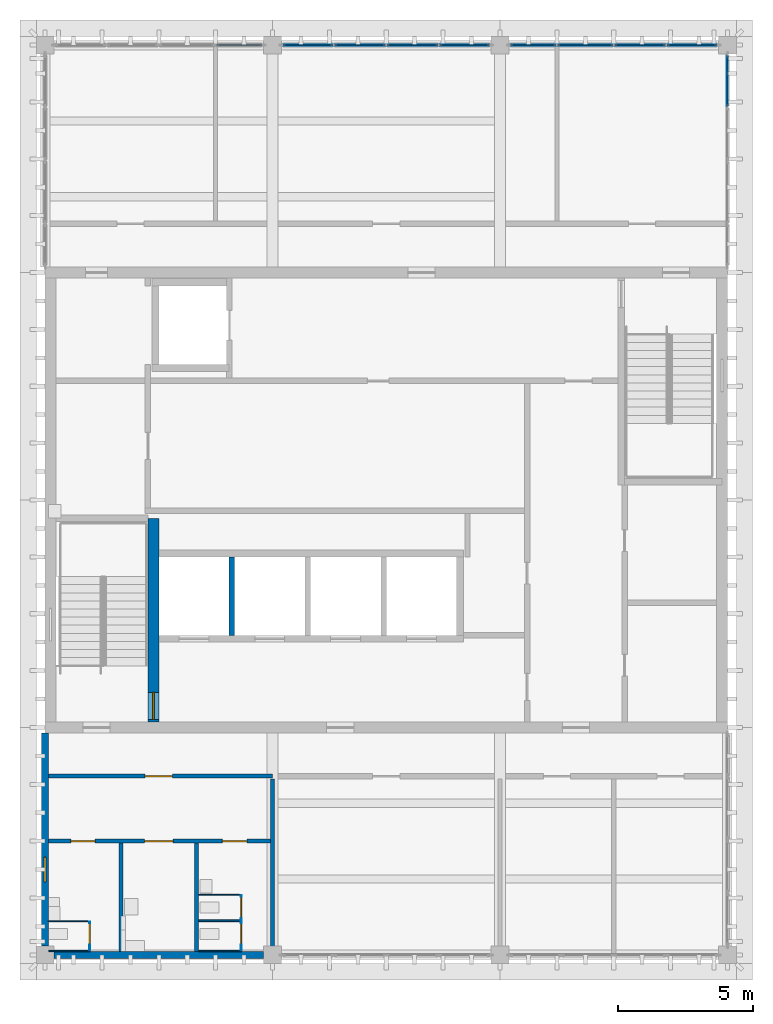
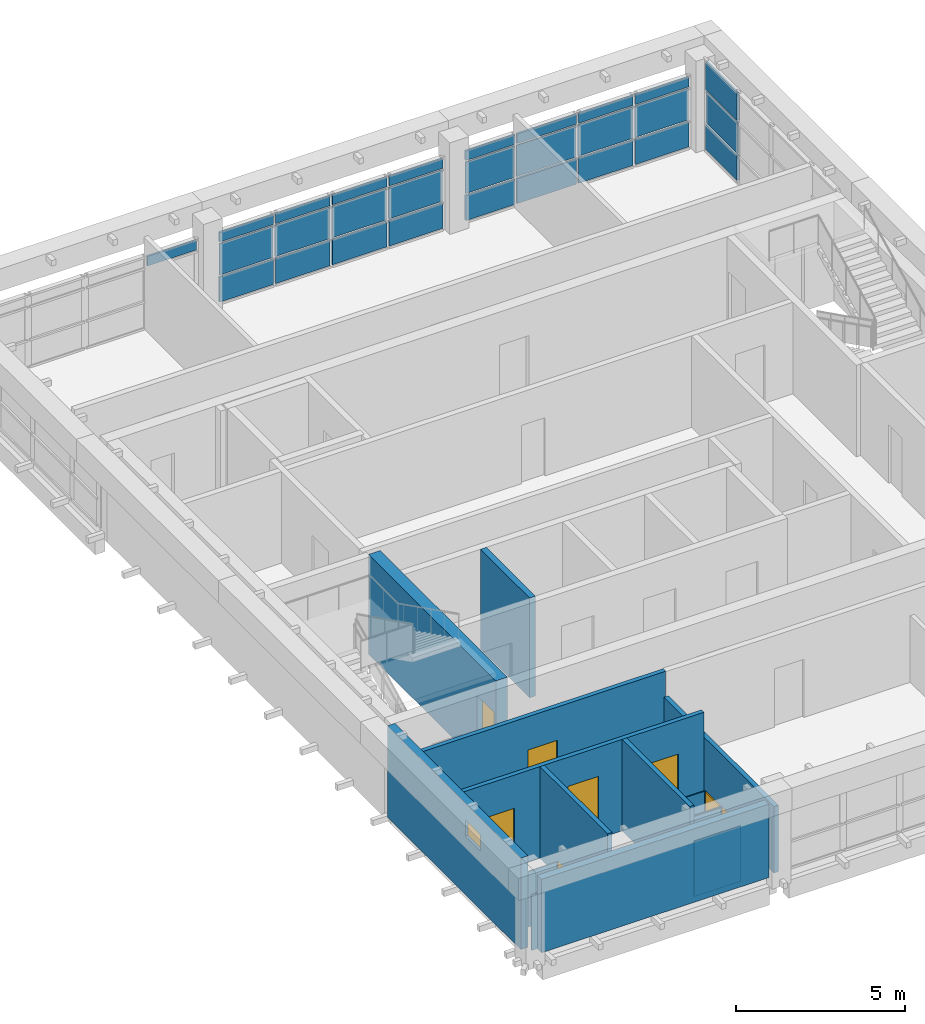
# One storey, part 5 of 10: 28 plates, 18 walls, 8 doors, 1 window, 9 openings, 4 elements without a shape of their own.
"""IFC4 building model written with IfcOpenShell, lengths in metres."""

from ifc_helpers import new_model, si_unit, direction, frame, frame_2d, origin, origin_2d, place, context, subcontext, project, spatial, rectangle, extrude, material, layer, layer_set, type_object, element, fill, aggregate, save


model = new_model("IFC4")

# Units and contexts
model_context = context("Model", 3, precision=1e-05, world=origin(), true_north=direction((0.0, 1.0)))
body_context = subcontext(model_context, "Body", "Model", "MODEL_VIEW")
ifc_project = project(units=[si_unit("LENGTHUNIT", "METRE"), si_unit("AREAUNIT", "SQUARE_METRE"), si_unit("VOLUMEUNIT", "CUBIC_METRE"), si_unit("PLANEANGLEUNIT", "RADIAN"), si_unit("MASSUNIT", "GRAM", prefix="KILO")], contexts=[model_context])

# Site, building, storey
site_placement = place(None, origin())
site = spatial("IfcSite", under=ifc_project, at=site_placement, CompositionType="ELEMENT")
building_placement = place(site_placement, origin())
building = spatial("IfcBuilding", under=site, at=building_placement, Name="Rulbaag Community and Learning Centre", CompositionType="ELEMENT")
storey_placement = place(building_placement, frame((0.0, 0.0, 61.199951171875)))
storey = spatial("IfcBuildingStorey", under=building, at=storey_placement, Name="L16", CompositionType="ELEMENT", Elevation=61.199951171875)

# Curtain wall, plate
ifc_material_1 = material(Name="Aluminium", Category="aluminium")
ifc_layer_1 = layer(ifc_material_1, 0.14990234375)
ifc_layer_set_1 = layer_set([ifc_layer_1], Name="CW-C")
curtain_wall_type = type_object("IfcCurtainWallType", Name="CW-C", PredefinedType="USERDEFINED", material=ifc_layer_set_1)
curtain_wall_1_placement = place(storey_placement, origin())
curtain_wall_1 = element("IfcCurtainWall", 1, at=curtain_wall_1_placement, inside=storey, type_object=curtain_wall_type, Name="GC-L16-03", ObjectType="UNITISED CURTAIN WALL", PredefinedType="USERDEFINED")
ifc_layer_2 = layer(ifc_material_1, 0.070068359375)
ifc_layer_set_2 = layer_set([ifc_layer_2], Name="CW-C-SPN")
plate_type_1 = type_object("IfcPlateType", Name="CW-C-SPN", PredefinedType="CURTAIN_PANEL", material=ifc_layer_set_2)
plate_1_placement = place(storey_placement, frame((149.969970703125, 117.60009765625, 2.23486328125), z_axis=(0.0, 0.0, 1.0), x_axis=(1.0, 0.0, 0.0)))
plate_1 = element("IfcPlate", 2, at=plate_1_placement, type_object=plate_type_1, Name="GC spandrel panel", PredefinedType="CURTAIN_PANEL", context=body_context, shape_type="SweptSolid", body=[
    extrude(rectangle(XDim=1.669921875, YDim=0.070068359375, at=origin_2d()), origin(), (0.0, 0.0, 1.0), 0.344970703125),
])
aggregate(curtain_wall_1, [plate_1])

# Curtain wall, plates
curtain_wall_2_placement = place(storey_placement, origin())
curtain_wall_2 = element("IfcCurtainWall", 3, at=curtain_wall_2_placement, inside=storey, type_object=curtain_wall_type, Name="GC-L16-04", ObjectType="UNITISED CURTAIN WALL", PredefinedType="USERDEFINED")
plate_2_placement = place(storey_placement, frame((152.51123046875, 117.60009765625, 0.070068359375), z_axis=(0.0, 0.0, 1.0), x_axis=(1.0, 0.0, 0.0)))
plate_2 = element("IfcPlate", 4, at=plate_2_placement, type_object=plate_type_1, Name="GC spandrel panel", PredefinedType="CURTAIN_PANEL", context=body_context, shape_type="SweptSolid", body=[
    extrude(rectangle(XDim=1.83251953125, YDim=0.070068359375, at=origin_2d()), origin(), (0.0, 0.0, 1.0), 0.89501953125),
])
plate_3_placement = place(storey_placement, frame((152.51123046875, 117.60009765625, 2.23486328125), z_axis=(0.0, 0.0, 1.0), x_axis=(1.0, 0.0, 0.0)))
plate_3 = element("IfcPlate", 5, at=plate_3_placement, type_object=plate_type_1, Name="GC spandrel panel", PredefinedType="CURTAIN_PANEL", context=body_context, shape_type="SweptSolid", body=[
    extrude(rectangle(XDim=1.83251953125, YDim=0.070068359375, at=origin_2d()), origin(), (0.0, 0.0, 1.0), 0.344970703125),
])
plate_4_placement = place(storey_placement, frame((154.43115234375, 117.60009765625, 0.070068359375), z_axis=(0.0, 0.0, 1.0), x_axis=(1.0, 0.0, 0.0)))
plate_4 = element("IfcPlate", 6, at=plate_4_placement, type_object=plate_type_1, Name="GC spandrel panel", PredefinedType="CURTAIN_PANEL", context=body_context, shape_type="SweptSolid", body=[
    extrude(rectangle(XDim=1.867431640625, YDim=0.070068359375, at=origin_2d()), origin(), (0.0, 0.0, 1.0), 0.89501953125),
])
plate_5_placement = place(storey_placement, frame((154.43115234375, 117.60009765625, 2.23486328125), z_axis=(0.0, 0.0, 1.0), x_axis=(1.0, 0.0, 0.0)))
plate_5 = element("IfcPlate", 7, at=plate_5_placement, type_object=plate_type_1, Name="GC spandrel panel", PredefinedType="CURTAIN_PANEL", context=body_context, shape_type="SweptSolid", body=[
    extrude(rectangle(XDim=1.867431640625, YDim=0.070068359375, at=origin_2d()), origin(), (0.0, 0.0, 1.0), 0.344970703125),
])
plate_6_placement = place(storey_placement, frame((156.36865234375, 117.60009765625, 0.070068359375), z_axis=(0.0, 0.0, 1.0), x_axis=(1.0, 0.0, 0.0)))
plate_6 = element("IfcPlate", 8, at=plate_6_placement, type_object=plate_type_1, Name="GC spandrel panel", PredefinedType="CURTAIN_PANEL", context=body_context, shape_type="SweptSolid", body=[
    extrude(rectangle(XDim=1.867431640625, YDim=0.070068359375, at=origin_2d()), origin(), (0.0, 0.0, 1.0), 0.89501953125),
])
plate_7_placement = place(storey_placement, frame((156.36865234375, 117.60009765625, 2.23486328125), z_axis=(0.0, 0.0, 1.0), x_axis=(1.0, 0.0, 0.0)))
plate_7 = element("IfcPlate", 9, at=plate_7_placement, type_object=plate_type_1, Name="GC spandrel panel", PredefinedType="CURTAIN_PANEL", context=body_context, shape_type="SweptSolid", body=[
    extrude(rectangle(XDim=1.867431640625, YDim=0.070068359375, at=origin_2d()), origin(), (0.0, 0.0, 1.0), 0.344970703125),
])
plate_8_placement = place(storey_placement, frame((158.288818359375, 117.60009765625, 0.070068359375), z_axis=(0.0, 0.0, 1.0), x_axis=(1.0, 0.0, 0.0)))
plate_8 = element("IfcPlate", 10, at=plate_8_placement, type_object=plate_type_1, Name="GC spandrel panel", PredefinedType="CURTAIN_PANEL", context=body_context, shape_type="SweptSolid", body=[
    extrude(rectangle(XDim=1.83251953125, YDim=0.070068359375, at=origin_2d()), origin(), (0.0, 0.0, 1.0), 0.89501953125),
])
plate_9_placement = place(storey_placement, frame((158.288818359375, 117.60009765625, 2.23486328125), z_axis=(0.0, 0.0, 1.0), x_axis=(1.0, 0.0, 0.0)))
plate_9 = element("IfcPlate", 11, at=plate_9_placement, type_object=plate_type_1, Name="GC spandrel panel", PredefinedType="CURTAIN_PANEL", context=body_context, shape_type="SweptSolid", body=[
    extrude(rectangle(XDim=1.83251953125, YDim=0.070068359375, at=origin_2d()), origin(), (0.0, 0.0, 1.0), 0.344970703125),
])

curtain_wall_3_placement = place(storey_placement, origin())
curtain_wall_3 = element("IfcCurtainWall", 12, at=curtain_wall_3_placement, inside=storey, type_object=curtain_wall_type, Name="GC-L16-05", ObjectType="UNITISED CURTAIN WALL", PredefinedType="USERDEFINED")
plate_10_placement = place(storey_placement, frame((160.830078125, 117.60009765625, 0.070068359375), z_axis=(0.0, 0.0, 1.0), x_axis=(1.0, 0.0, 0.0)))
plate_10 = element("IfcPlate", 13, at=plate_10_placement, type_object=plate_type_1, Name="GC spandrel panel", PredefinedType="CURTAIN_PANEL", context=body_context, shape_type="SweptSolid", body=[
    extrude(rectangle(XDim=1.669921875, YDim=0.070068359375, at=origin_2d()), origin(), (0.0, 0.0, 1.0), 0.89501953125),
])
plate_11_placement = place(storey_placement, frame((160.830078125, 117.60009765625, 2.23486328125), z_axis=(0.0, 0.0, 1.0), x_axis=(1.0, 0.0, 0.0)))
plate_11 = element("IfcPlate", 14, at=plate_11_placement, type_object=plate_type_1, Name="GC spandrel panel", PredefinedType="CURTAIN_PANEL", context=body_context, shape_type="SweptSolid", body=[
    extrude(rectangle(XDim=1.669921875, YDim=0.070068359375, at=origin_2d()), origin(), (0.0, 0.0, 1.0), 0.344970703125),
])
plate_12_placement = place(storey_placement, frame((162.75, 117.60009765625, 0.070068359375), z_axis=(0.0, 0.0, 1.0), x_axis=(1.0, 0.0, 0.0)))
plate_12 = element("IfcPlate", 15, at=plate_12_placement, type_object=plate_type_1, Name="GC spandrel panel", PredefinedType="CURTAIN_PANEL", context=body_context, shape_type="SweptSolid", body=[
    extrude(rectangle(XDim=2.030029296875, YDim=0.070068359375, at=origin_2d()), origin(), (0.0, 0.0, 1.0), 0.89501953125),
])
plate_13_placement = place(storey_placement, frame((162.75, 117.60009765625, 2.23486328125), z_axis=(0.0, 0.0, 1.0), x_axis=(1.0, 0.0, 0.0)))
plate_13 = element("IfcPlate", 16, at=plate_13_placement, type_object=plate_type_1, Name="GC spandrel panel", PredefinedType="CURTAIN_PANEL", context=body_context, shape_type="SweptSolid", body=[
    extrude(rectangle(XDim=2.030029296875, YDim=0.070068359375, at=origin_2d()), origin(), (0.0, 0.0, 1.0), 0.344970703125),
])
plate_14_placement = place(storey_placement, frame((164.768798828125, 117.60009765625, 0.070068359375), z_axis=(0.0, 0.0, 1.0), x_axis=(1.0, 0.0, 0.0)))
plate_14 = element("IfcPlate", 17, at=plate_14_placement, type_object=plate_type_1, Name="GC spandrel panel", PredefinedType="CURTAIN_PANEL", context=body_context, shape_type="SweptSolid", body=[
    extrude(rectangle(XDim=1.867431640625, YDim=0.070068359375, at=origin_2d()), origin(), (0.0, 0.0, 1.0), 0.89501953125),
])
plate_15_placement = place(storey_placement, frame((164.768798828125, 117.60009765625, 2.23486328125), z_axis=(0.0, 0.0, 1.0), x_axis=(1.0, 0.0, 0.0)))
plate_15 = element("IfcPlate", 18, at=plate_15_placement, type_object=plate_type_1, Name="GC spandrel panel", PredefinedType="CURTAIN_PANEL", context=body_context, shape_type="SweptSolid", body=[
    extrude(rectangle(XDim=1.867431640625, YDim=0.070068359375, at=origin_2d()), origin(), (0.0, 0.0, 1.0), 0.344970703125),
])
plate_16_placement = place(storey_placement, frame((166.688720703125, 117.60009765625, 0.070068359375), z_axis=(0.0, 0.0, 1.0), x_axis=(1.0, 0.0, 0.0)))
plate_16 = element("IfcPlate", 19, at=plate_16_placement, type_object=plate_type_1, Name="GC spandrel panel", PredefinedType="CURTAIN_PANEL", context=body_context, shape_type="SweptSolid", body=[
    extrude(rectangle(XDim=1.83251953125, YDim=0.070068359375, at=origin_2d()), origin(), (0.0, 0.0, 1.0), 0.89501953125),
])
plate_17_placement = place(storey_placement, frame((166.688720703125, 117.60009765625, 2.23486328125), z_axis=(0.0, 0.0, 1.0), x_axis=(1.0, 0.0, 0.0)))
plate_17 = element("IfcPlate", 20, at=plate_17_placement, type_object=plate_type_1, Name="GC spandrel panel", PredefinedType="CURTAIN_PANEL", context=body_context, shape_type="SweptSolid", body=[
    extrude(rectangle(XDim=1.83251953125, YDim=0.070068359375, at=origin_2d()), origin(), (0.0, 0.0, 1.0), 0.344970703125),
])

curtain_wall_4_placement = place(storey_placement, origin())
curtain_wall_4 = element("IfcCurtainWall", 21, at=curtain_wall_4_placement, inside=storey, type_object=curtain_wall_type, Name="GC-L16-08", ObjectType="UNITISED CURTAIN WALL", PredefinedType="USERDEFINED")
plate_18_placement = place(storey_placement, frame((168.0, 116.273193359375, 0.070068359375), z_axis=(0.0, 0.0, 1.0), x_axis=(0.0, 1.0, 0.0)))
plate_18 = element("IfcPlate", 22, at=plate_18_placement, type_object=plate_type_1, Name="GC spandrel panel", PredefinedType="CURTAIN_PANEL", context=body_context, shape_type="SweptSolid", body=[
    extrude(rectangle(XDim=1.86376953125, YDim=0.070068359375, at=origin_2d()), origin(), (0.0, 0.0, 1.0), 0.89501953125),
])
plate_19_placement = place(storey_placement, frame((168.0, 116.273193359375, 2.235107421875), z_axis=(0.0, 0.0, 1.0), x_axis=(0.0, 1.0, 0.0)))
plate_19 = element("IfcPlate", 23, at=plate_19_placement, type_object=plate_type_1, Name="GC spandrel panel", PredefinedType="CURTAIN_PANEL", context=body_context, shape_type="SweptSolid", body=[
    extrude(rectangle(XDim=1.86376953125, YDim=0.070068359375, at=origin_2d()), origin(), (0.0, 0.0, 1.0), 0.9951171875),
])

# Plate
ifc_material_2 = material(Name="Glass", Category="glass")
ifc_layer_3 = layer(ifc_material_2, 0.035888671875)
ifc_layer_set_3 = layer_set([ifc_layer_3], Name="CW-C-VIS")
plate_type_2 = type_object("IfcPlateType", Name="CW-C-VIS", PredefinedType="CURTAIN_PANEL", material=ifc_layer_set_3)
plate_20_placement = place(storey_placement, frame((152.51123046875, 117.60009765625, 1.03515625), z_axis=(0.0, 0.0, 1.0), x_axis=(1.0, 0.0, 0.0)))
plate_20 = element("IfcPlate", 24, at=plate_20_placement, type_object=plate_type_2, Name="GC vision panel", PredefinedType="CURTAIN_PANEL", context=body_context, shape_type="SweptSolid", body=[
    extrude(rectangle(XDim=1.83251953125, YDim=0.035888671875, at=origin_2d()), origin(), (0.0, 0.0, 1.0), 1.1298828125),
])

plate_21_placement = place(storey_placement, frame((154.43115234375, 117.60009765625, 1.03515625), z_axis=(0.0, 0.0, 1.0), x_axis=(1.0, 0.0, 0.0)))
plate_21 = element("IfcPlate", 25, at=plate_21_placement, type_object=plate_type_2, Name="GC vision panel", PredefinedType="CURTAIN_PANEL", context=body_context, shape_type="SweptSolid", body=[
    extrude(rectangle(XDim=1.867431640625, YDim=0.035888671875, at=origin_2d()), origin(), (0.0, 0.0, 1.0), 1.1298828125),
])

plate_22_placement = place(storey_placement, frame((156.36865234375, 117.60009765625, 1.03515625), z_axis=(0.0, 0.0, 1.0), x_axis=(1.0, 0.0, 0.0)))
plate_22 = element("IfcPlate", 26, at=plate_22_placement, type_object=plate_type_2, Name="GC vision panel", PredefinedType="CURTAIN_PANEL", context=body_context, shape_type="SweptSolid", body=[
    extrude(rectangle(XDim=1.867431640625, YDim=0.035888671875, at=origin_2d()), origin(), (0.0, 0.0, 1.0), 1.1298828125),
])

plate_23_placement = place(storey_placement, frame((158.288818359375, 117.60009765625, 1.03515625), z_axis=(0.0, 0.0, 1.0), x_axis=(1.0, 0.0, 0.0)))
plate_23 = element("IfcPlate", 27, at=plate_23_placement, type_object=plate_type_2, Name="GC vision panel", PredefinedType="CURTAIN_PANEL", context=body_context, shape_type="SweptSolid", body=[
    extrude(rectangle(XDim=1.83251953125, YDim=0.035888671875, at=origin_2d()), origin(), (0.0, 0.0, 1.0), 1.1298828125),
])

aggregate(curtain_wall_2, [plate_2, plate_20, plate_3, plate_4, plate_21, plate_5, plate_6, plate_22, plate_7, plate_8, plate_23, plate_9])

plate_24_placement = place(storey_placement, frame((160.830078125, 117.60009765625, 1.03515625), z_axis=(0.0, 0.0, 1.0), x_axis=(1.0, 0.0, 0.0)))
plate_24 = element("IfcPlate", 28, at=plate_24_placement, type_object=plate_type_2, Name="GC vision panel", PredefinedType="CURTAIN_PANEL", context=body_context, shape_type="SweptSolid", body=[
    extrude(rectangle(XDim=1.669921875, YDim=0.035888671875, at=origin_2d()), origin(), (0.0, 0.0, 1.0), 1.1298828125),
])

plate_25_placement = place(storey_placement, frame((162.75, 117.60009765625, 1.03515625), z_axis=(0.0, 0.0, 1.0), x_axis=(1.0, 0.0, 0.0)))
plate_25 = element("IfcPlate", 29, at=plate_25_placement, type_object=plate_type_2, Name="GC vision panel", PredefinedType="CURTAIN_PANEL", context=body_context, shape_type="SweptSolid", body=[
    extrude(rectangle(XDim=2.030029296875, YDim=0.035888671875, at=origin_2d()), origin(), (0.0, 0.0, 1.0), 1.1298828125),
])

plate_26_placement = place(storey_placement, frame((164.768798828125, 117.60009765625, 1.03515625), z_axis=(0.0, 0.0, 1.0), x_axis=(1.0, 0.0, 0.0)))
plate_26 = element("IfcPlate", 30, at=plate_26_placement, type_object=plate_type_2, Name="GC vision panel", PredefinedType="CURTAIN_PANEL", context=body_context, shape_type="SweptSolid", body=[
    extrude(rectangle(XDim=1.867431640625, YDim=0.035888671875, at=origin_2d()), origin(), (0.0, 0.0, 1.0), 1.1298828125),
])

plate_27_placement = place(storey_placement, frame((166.688720703125, 117.60009765625, 1.03515625), z_axis=(0.0, 0.0, 1.0), x_axis=(1.0, 0.0, 0.0)))
plate_27 = element("IfcPlate", 31, at=plate_27_placement, type_object=plate_type_2, Name="GC vision panel", PredefinedType="CURTAIN_PANEL", context=body_context, shape_type="SweptSolid", body=[
    extrude(rectangle(XDim=1.83251953125, YDim=0.035888671875, at=origin_2d()), origin(), (0.0, 0.0, 1.0), 1.1298828125),
])

aggregate(curtain_wall_3, [plate_10, plate_24, plate_11, plate_12, plate_25, plate_13, plate_14, plate_26, plate_15, plate_16, plate_27, plate_17])

plate_28_placement = place(storey_placement, frame((168.0, 116.273193359375, 1.03515625), z_axis=(0.0, 0.0, 1.0), x_axis=(0.0, 1.0, 0.0)))
plate_28 = element("IfcPlate", 32, at=plate_28_placement, type_object=plate_type_2, Name="GC vision panel", PredefinedType="CURTAIN_PANEL", context=body_context, shape_type="SweptSolid", body=[
    extrude(rectangle(XDim=1.86376953125, YDim=0.035888671875, at=origin_2d()), origin(), (0.0, 0.0, 1.0), 1.1298828125),
])

aggregate(curtain_wall_4, [plate_18, plate_28, plate_19])

# Walls
ifc_material_3 = material(Name="High pressure laminate", Category="wood")
ifc_layer_4 = layer(ifc_material_3, 0.0400390625)
ifc_layer_set_4 = layer_set([ifc_layer_4], Name="CP-40")
wall_type_1 = type_object("IfcWallType", Name="CP-40", PredefinedType="PARTITIONING", material=ifc_layer_set_4)
wall_1_placement = place(storey_placement, frame((142.929931640625, 84.14501953125, 0.0), z_axis=(0.0, 0.0, 1.0), x_axis=(1.0, 0.0, 0.0)))
element("IfcWall", 33, at=wall_1_placement, inside=storey, type_object=wall_type_1, Name="Cubicle partition", PredefinedType="PARTITIONING", context=body_context, shape_type="SweptSolid", body=[
    extrude(rectangle(XDim=1.5400390625, YDim=0.0400390625, at=frame_2d((0.77001953125, 0.0))), origin(), (0.0, 0.0, 1.0), 2.0),
])
wall_2_placement = place(storey_placement, frame((142.925048828125, 85.239990234375, 0.0), z_axis=(0.0, 0.0, 1.0), x_axis=(1.0, 0.0, 0.0)))
element("IfcWall", 34, at=wall_2_placement, inside=storey, type_object=wall_type_1, Name="Cubicle partition", PredefinedType="PARTITIONING", context=body_context, shape_type="SweptSolid", body=[
    extrude(rectangle(XDim=1.544921875, YDim=0.0400390625, at=frame_2d((0.7724609375, 0.0))), origin(), (0.0, 0.0, 1.0), 2.0),
])

# Wall, opening, door
wall_3_placement = place(storey_placement, frame((144.449951171875, 84.1650390625, 0.0), z_axis=(0.0, 0.0, 1.0), x_axis=(0.0, 1.0, 0.0)))
wall_3 = element("IfcWall", 35, at=wall_3_placement, inside=storey, type_object=wall_type_1, Name="Cubicle partition", PredefinedType="PARTITIONING", context=body_context, shape_type="SweptSolid", body=[
    extrude(rectangle(XDim=1.054931640625, YDim=0.0400390625, at=frame_2d((0.52734375, 0.0))), origin(), (0.0, 0.0, 1.0), 2.0),
])
opening_1_placement = place(wall_3_placement, frame((0.205078125, 0.0, 0.0)))
opening_1 = element("IfcOpeningElement", 36, at=opening_1_placement, cuts=wall_3, Name="Opening L16-D002", PredefinedType="OPENING", context=body_context, shape_type="SweptSolid", body=[
    extrude(rectangle(XDim=0.800048828125, YDim=2.0, at=frame_2d((0.39990234375, 1.0))), frame((0.0, 0.030029296875, 0.0), z_axis=(0.0, -1.0, 0.0), x_axis=(1.0, 0.0, 0.0)), (0.0, 0.0, 1.0), 0.06005859375),
])
door_type_1 = type_object("IfcDoorType", Name="DC-80", OperationType="SINGLE_SWING_LEFT", PredefinedType="DOOR", material=ifc_material_3)
door_1_placement = place(opening_1_placement, origin())
door_1 = element("IfcDoor", 37, at=door_1_placement, inside=storey, type_object=door_type_1, Name="Cubicle door", OperationType="SINGLE_SWING_LEFT", OverallHeight=2.0, OverallWidth=0.800048828125, PredefinedType="DOOR", context=body_context, shape_type="SweptSolid", body=[
    extrude(rectangle(XDim=0.800048828125, YDim=2.0, at=frame_2d((0.39990234375, 1.0))), frame((0.0, 0.019775390625, 0.0), z_axis=(0.0, -1.0, 0.0), x_axis=(1.0, 0.0, 0.0)), (0.0, 0.0, 1.0), 0.03955078125),
])
fill(opening_1, door_1)

# Walls
for number, where, z_axis, x_axis, name in (
    (38, (148.47509765625, 84.14501953125, 0.0), (0.0, 0.0, 1.0), (1.0, 0.0, 0.0), "Cubicle partition"),
    (39, (148.47509765625, 85.239990234375, 0.0), (0.0, 0.0, 1.0), (1.0, 0.0, 0.0), "Cubicle partition"),
):
    element("IfcWall", number, at=place(storey_placement, frame(where, z_axis=z_axis, x_axis=x_axis)), inside=storey, type_object=wall_type_1, Name=name, PredefinedType="PARTITIONING", context=body_context, shape_type="SweptSolid", body=[
        extrude(rectangle(XDim=1.594970703125, YDim=0.0400390625, at=frame_2d((0.79736328125, 0.0))), origin(), (0.0, 0.0, 1.0), 2.0),
    ])

# Wall, opening, door
wall_4_placement = place(storey_placement, frame((150.050048828125, 84.1650390625, 0.0), z_axis=(0.0, 0.0, 1.0), x_axis=(0.0, 1.0, 0.0)))
wall_4 = element("IfcWall", 40, at=wall_4_placement, inside=storey, type_object=wall_type_1, Name="Cubicle partition", PredefinedType="PARTITIONING", context=body_context, shape_type="SweptSolid", body=[
    extrude(rectangle(XDim=1.054931640625, YDim=0.0400390625, at=frame_2d((0.52734375, 0.0))), origin(), (0.0, 0.0, 1.0), 2.0),
])
opening_2_placement = place(wall_4_placement, frame((0.205078125, 0.0, 0.0)))
opening_2 = element("IfcOpeningElement", 41, at=opening_2_placement, cuts=wall_4, Name="Opening L16-D013", PredefinedType="OPENING", context=body_context, shape_type="SweptSolid", body=[
    extrude(rectangle(XDim=0.800048828125, YDim=2.0, at=frame_2d((0.39990234375, 1.0))), frame((0.0, 0.030029296875, 0.0), z_axis=(0.0, -1.0, 0.0), x_axis=(1.0, 0.0, 0.0)), (0.0, 0.0, 1.0), 0.06005859375),
])
door_2_placement = place(opening_2_placement, origin())
door_2 = element("IfcDoor", 42, at=door_2_placement, inside=storey, type_object=door_type_1, Name="Cubicle door", OperationType="SINGLE_SWING_LEFT", OverallHeight=2.0, OverallWidth=0.800048828125, PredefinedType="DOOR", context=body_context, shape_type="SweptSolid", body=[
    extrude(rectangle(XDim=0.800048828125, YDim=2.0, at=frame_2d((0.39990234375, 1.0))), frame((0.0, 0.019775390625, 0.0), z_axis=(0.0, -1.0, 0.0), x_axis=(1.0, 0.0, 0.0)), (0.0, 0.0, 1.0), 0.03955078125),
])
fill(opening_2, door_2)

# Walls
for number, where, z_axis, x_axis, name in (
    (43, (148.47509765625, 85.280029296875, 0.0), (0.0, 0.0, 1.0), (1.0, 0.0, 0.0), "Cubicle partition"),
    (44, (148.47509765625, 86.219970703125, 0.0), (0.0, 0.0, 1.0), (1.0, 0.0, 0.0), "Cubicle partition"),
):
    element("IfcWall", number, at=place(storey_placement, frame(where, z_axis=z_axis, x_axis=x_axis)), inside=storey, type_object=wall_type_1, Name=name, PredefinedType="PARTITIONING", context=body_context, shape_type="SweptSolid", body=[
        extrude(rectangle(XDim=1.594970703125, YDim=0.0400390625, at=frame_2d((0.79736328125, 0.0))), origin(), (0.0, 0.0, 1.0), 2.0),
    ])

# Wall, opening, door
wall_5_placement = place(storey_placement, frame((150.050048828125, 85.300048828125, 0.0), z_axis=(0.0, 0.0, 1.0), x_axis=(0.0, 1.0, 0.0)))
wall_5 = element("IfcWall", 45, at=wall_5_placement, inside=storey, type_object=wall_type_1, Name="Cubicle partition", PredefinedType="PARTITIONING", context=body_context, shape_type="SweptSolid", body=[
    extrude(rectangle(XDim=0.89990234375, YDim=0.0400390625, at=frame_2d((0.449951171875, 0.0))), origin(), (0.0, 0.0, 1.0), 2.0),
])
opening_3_placement = place(wall_5_placement, frame((0.050048828125, 0.0, 0.0)))
opening_3 = element("IfcOpeningElement", 46, at=opening_3_placement, cuts=wall_5, Name="Opening L16-D014", PredefinedType="OPENING", context=body_context, shape_type="SweptSolid", body=[
    extrude(rectangle(XDim=0.800048828125, YDim=2.0, at=frame_2d((0.39990234375, 1.0))), frame((0.0, 0.030029296875, 0.0), z_axis=(0.0, -1.0, 0.0), x_axis=(1.0, 0.0, 0.0)), (0.0, 0.0, 1.0), 0.06005859375),
])
door_3_placement = place(opening_3_placement, origin())
door_3 = element("IfcDoor", 47, at=door_3_placement, inside=storey, type_object=door_type_1, Name="Cubicle door", OperationType="SINGLE_SWING_LEFT", OverallHeight=2.0, OverallWidth=0.800048828125, PredefinedType="DOOR", context=body_context, shape_type="SweptSolid", body=[
    extrude(rectangle(XDim=0.800048828125, YDim=2.0, at=frame_2d((0.39990234375, 1.0))), frame((0.0, 0.019775390625, 0.0), z_axis=(0.0, -1.0, 0.0), x_axis=(1.0, 0.0, 0.0)), (0.0, 0.0, 1.0), 0.03955078125),
])
fill(opening_3, door_3)

# Wall
ifc_material_4 = material(Name="Concrete M40", Category="concrete")
ifc_layer_5 = layer(ifc_material_4, 0.25)
ifc_layer_set_5 = layer_set([ifc_layer_5], Name="EW-CONC250")
wall_type_2 = type_object("IfcWallType", Name="EW-CONC250", PredefinedType="STANDARD", material=ifc_layer_set_5)
wall_6_placement = place(storey_placement, frame((143.125, 84.0, 0.0), z_axis=(0.0, 0.0, 1.0), x_axis=(1.0, 0.0, 0.0)))
element("IfcWall", 48, at=wall_6_placement, inside=storey, type_object=wall_type_2, Name="Board-marked concrete cladding wall BS", PredefinedType="STANDARD", context=body_context, shape_type="SweptSolid", body=[
    extrude(rectangle(XDim=7.75, YDim=0.25, at=frame_2d((3.875, 0.0))), origin(), (0.0, 0.0, 1.0), 2.650146484375),
])

# Wall, opening, window
wall_7_placement = place(storey_placement, frame((142.800048828125, 84.324951171875, 0.0), z_axis=(0.0, 0.0, 1.0), x_axis=(0.0, 1.0, 0.0)))
wall_7 = element("IfcWall", 49, at=wall_7_placement, inside=storey, type_object=wall_type_2, Name="Board-marked concrete cladding wall BW", PredefinedType="STANDARD", context=body_context, shape_type="SweptSolid", body=[
    extrude(rectangle(XDim=7.875, YDim=0.25, at=frame_2d((3.9375, 0.0))), origin(), (0.0, 0.0, 1.0), 3.300048828125),
])
opening_4_placement = place(wall_7_placement, frame((2.375, 0.0, 2.10009765625)))
opening_4 = element("IfcOpeningElement", 50, at=opening_4_placement, cuts=wall_7, Name="Opening WN5", PredefinedType="OPENING", context=body_context, shape_type="SweptSolid", body=[
    extrude(rectangle(XDim=0.89990234375, YDim=0.60009765625, at=frame_2d((0.449951171875, 0.300048828125))), frame((0.0, 0.135009765625, 0.0), z_axis=(0.0, -1.0, 0.0), x_axis=(1.0, 0.0, 0.0)), (0.0, 0.0, 1.0), 0.27001953125),
])
window_type = type_object("IfcWindowType", Name="WK-09", PartitioningType="SINGLE_PANEL", PredefinedType="WINDOW", material=ifc_material_1)
window_placement = place(opening_4_placement, origin())
window = element("IfcWindow", 51, at=window_placement, inside=storey, type_object=window_type, Name="Window WN5", OverallHeight=0.60009765625, OverallWidth=0.89990234375, PartitioningType="SINGLE_PANEL", PredefinedType="WINDOW", context=body_context, shape_type="SweptSolid", body=[
    extrude(rectangle(XDim=0.89990234375, YDim=0.60009765625, at=frame_2d((0.449951171875, 0.300048828125))), frame((0.0, 0.030029296875, 0.0), z_axis=(0.0, -1.0, 0.0), x_axis=(1.0, 0.0, 0.0)), (0.0, 0.0, 1.0), 0.06005859375),
])
fill(opening_4, window)

# Wall, openings, doors
ifc_material_5 = material(Name="Concrete blockwork", Category="masonry")
ifc_layer_6 = layer(ifc_material_5, 0.14990234375)
ifc_layer_set_6 = layer_set([ifc_layer_6], Name="IP-150 PARTITION 150")
wall_type_3 = type_object("IfcWallType", Name="IP-150 PARTITION 150", PredefinedType="PARTITIONING", material=ifc_layer_set_6)
wall_8_placement = place(storey_placement, frame((142.925048828125, 88.199951171875, 0.0), z_axis=(0.0, 0.0, 1.0), x_axis=(1.0, 0.0, 0.0)))
wall_8 = element("IfcWall", 52, at=wall_8_placement, inside=storey, type_object=wall_type_3, Name="Partition L16 1", PredefinedType="PARTITIONING", context=body_context, shape_type="SweptSolid", body=[
    extrude(rectangle(XDim=8.199951171875, YDim=0.14990234375, at=frame_2d((4.10009765625, 0.0))), origin(), (0.0, 0.0, 1.0), 3.300048828125),
])
opening_5_placement = place(wall_8_placement, frame((0.824951171875, 0.0, 0.0)))
opening_5 = element("IfcOpeningElement", 53, at=opening_5_placement, cuts=wall_8, Name="Opening L16-D001", PredefinedType="OPENING", context=body_context, shape_type="SweptSolid", body=[
    extrude(rectangle(XDim=0.89990234375, YDim=2.10009765625, at=frame_2d((0.449951171875, 1.050048828125))), frame((0.0, 0.0849609375, 0.0), z_axis=(0.0, -1.0, 0.0), x_axis=(1.0, 0.0, 0.0)), (0.0, 0.0, 1.0), 0.169921875),
])
opening_6_placement = place(wall_8_placement, frame((3.550048828125, 0.0, 0.0)))
opening_6 = element("IfcOpeningElement", 54, at=opening_6_placement, cuts=wall_8, Name="Opening L16-D008", PredefinedType="OPENING", context=body_context, shape_type="SweptSolid", body=[
    extrude(rectangle(XDim=1.050048828125, YDim=2.25, at=frame_2d((0.52490234375, 1.125))), frame((0.0, 0.0849609375, 0.0), z_axis=(0.0, -1.0, 0.0), x_axis=(1.0, 0.0, 0.0)), (0.0, 0.0, 1.0), 0.169921875),
])
opening_7_placement = place(wall_8_placement, frame((6.425048828125, 0.0, 0.0)))
opening_7 = element("IfcOpeningElement", 55, at=opening_7_placement, cuts=wall_8, Name="Opening L16-D012", PredefinedType="OPENING", context=body_context, shape_type="SweptSolid", body=[
    extrude(rectangle(XDim=0.89990234375, YDim=2.10009765625, at=frame_2d((0.449951171875, 1.050048828125))), frame((0.0, 0.0849609375, 0.0), z_axis=(0.0, -1.0, 0.0), x_axis=(1.0, 0.0, 0.0)), (0.0, 0.0, 1.0), 0.169921875),
])
ifc_material_6 = material(Name="Timber", Category="wood")
door_type_2 = type_object("IfcDoorType", Name="D-1050 ACCESSIBLE TOILET DOOR 1050 x 2250", OperationType="SINGLE_SWING_LEFT", PredefinedType="DOOR", material=ifc_material_6)
door_4_placement = place(opening_6_placement, origin())
door_4 = element("IfcDoor", 56, at=door_4_placement, inside=storey, type_object=door_type_2, Name="Door L16-D008", OperationType="SINGLE_SWING_LEFT", OverallHeight=2.25, OverallWidth=1.050048828125, PredefinedType="DOOR", context=body_context, shape_type="SweptSolid", body=[
    extrude(rectangle(XDim=1.050048828125, YDim=2.25, at=frame_2d((0.52490234375, 1.125))), frame((0.0, 0.02490234375, 0.0), z_axis=(0.0, -1.0, 0.0), x_axis=(1.0, 0.0, 0.0)), (0.0, 0.0, 1.0), 0.050048828125),
])
fill(opening_6, door_4)
door_type_3 = type_object("IfcDoorType", Name="DW-900 TOILET DOOR 900 x 2100", OperationType="SINGLE_SWING_LEFT", PredefinedType="DOOR", material=ifc_material_6)
door_5_placement = place(opening_5_placement, origin())
door_5 = element("IfcDoor", 57, at=door_5_placement, inside=storey, type_object=door_type_3, Name="Door L16-D001", OperationType="SINGLE_SWING_LEFT", OverallHeight=2.10009765625, OverallWidth=0.89990234375, PredefinedType="DOOR", context=body_context, shape_type="SweptSolid", body=[
    extrude(rectangle(XDim=0.89990234375, YDim=2.10009765625, at=frame_2d((0.449951171875, 1.050048828125))), frame((0.0, 0.02490234375, 0.0), z_axis=(0.0, -1.0, 0.0), x_axis=(1.0, 0.0, 0.0)), (0.0, 0.0, 1.0), 0.050048828125),
])
fill(opening_5, door_5)
door_6_placement = place(opening_7_placement, origin())
door_6 = element("IfcDoor", 58, at=door_6_placement, inside=storey, type_object=door_type_3, Name="Door L16-D012", OperationType="SINGLE_SWING_RIGHT", OverallHeight=2.10009765625, OverallWidth=0.89990234375, PredefinedType="DOOR", context=body_context, shape_type="SweptSolid", body=[
    extrude(rectangle(XDim=0.89990234375, YDim=2.10009765625, at=frame_2d((0.449951171875, 1.050048828125))), frame((0.0, 0.02490234375, 0.0), z_axis=(0.0, -1.0, 0.0), x_axis=(1.0, 0.0, 0.0)), (0.0, 0.0, 1.0), 0.050048828125),
])
fill(opening_7, door_6)

# Wall, opening, door
wall_9_placement = place(storey_placement, frame((142.925048828125, 90.60009765625, 0.0), z_axis=(0.0, 0.0, 1.0), x_axis=(1.0, 0.0, 0.0)))
wall_9 = element("IfcWall", 59, at=wall_9_placement, inside=storey, type_object=wall_type_3, Name="Partition L16 2", PredefinedType="PARTITIONING", context=body_context, shape_type="SweptSolid", body=[
    extrude(rectangle(XDim=8.27490234375, YDim=0.14990234375, at=frame_2d((4.137451171875, 0.0))), origin(), (0.0, 0.0, 1.0), 3.300048828125),
])
opening_8_placement = place(wall_9_placement, frame((3.574951171875, 0.0, 0.0)))
opening_8 = element("IfcOpeningElement", 60, at=opening_8_placement, cuts=wall_9, Name="Opening L16-D009", PredefinedType="OPENING", context=body_context, shape_type="SweptSolid", body=[
    extrude(rectangle(XDim=1.0, YDim=2.10009765625, at=frame_2d((0.5, 1.050048828125))), frame((0.0, 0.0849609375, 0.0), z_axis=(0.0, -1.0, 0.0), x_axis=(1.0, 0.0, 0.0)), (0.0, 0.0, 1.0), 0.169921875),
])
door_type_4 = type_object("IfcDoorType", Name="D-1000 DOOR 1000 x 2100", OperationType="SINGLE_SWING_LEFT", PredefinedType="DOOR", material=ifc_material_6)
door_7_placement = place(opening_8_placement, origin())
door_7 = element("IfcDoor", 61, at=door_7_placement, inside=storey, type_object=door_type_4, Name="Door L16-D009", OperationType="SINGLE_SWING_RIGHT", OverallHeight=2.10009765625, OverallWidth=1.0, PredefinedType="DOOR", context=body_context, shape_type="SweptSolid", body=[
    extrude(rectangle(XDim=1.0, YDim=2.10009765625, at=frame_2d((0.5, 1.050048828125))), frame((0.0, 0.02490234375, 0.0), z_axis=(0.0, -1.0, 0.0), x_axis=(1.0, 0.0, 0.0)), (0.0, 0.0, 1.0), 0.050048828125),
])
fill(opening_8, door_7)

# Walls
for number, where, z_axis, x_axis, name in (
    (62, (145.60009765625, 84.125, 0.0), (0.0, 0.0, 1.0), (0.0, 1.0, 0.0), "Partition L16 11"),
    (63, (148.39990234375, 84.125, 0.0), (0.0, 0.0, 1.0), (0.0, 1.0, 0.0), "Partition L16 14"),
):
    element("IfcWall", number, at=place(storey_placement, frame(where, z_axis=z_axis, x_axis=x_axis)), inside=storey, type_object=wall_type_3, Name=name, PredefinedType="PARTITIONING", context=body_context, shape_type="SweptSolid", body=[
        extrude(rectangle(XDim=4.0, YDim=0.14990234375, at=frame_2d((2.0, 0.0))), origin(), (0.0, 0.0, 1.0), 3.300048828125),
    ])
wall_10_placement = place(storey_placement, frame((151.199951171875, 84.0, 0.0), z_axis=(0.0, 0.0, 1.0), x_axis=(0.0, 1.0, 0.0)))
element("IfcWall", 64, at=wall_10_placement, inside=storey, type_object=wall_type_3, Name="Partition L16 17", PredefinedType="PARTITIONING", context=body_context, shape_type="SweptSolid", body=[
    extrude(rectangle(XDim=6.5, YDim=0.14990234375, at=frame_2d((3.25, 0.0))), origin(), (0.0, 0.0, 1.0), 2.400146484375),
])
ifc_layer_7 = layer(ifc_material_4, 0.199951171875)
ifc_layer_set_7 = layer_set([ifc_layer_7], Name="W6 Shaft divider 200 Concrete M40")
wall_type_4 = type_object("IfcWallType", Name="W6 Shaft divider 200 Concrete M40", PredefinedType="SHEAR", material=ifc_layer_set_7)
wall_11_placement = place(storey_placement, frame((149.699951171875, 95.800048828125, -0.300048828125), z_axis=(0.0, 0.0, 1.0), x_axis=(0.0, 1.0, 0.0)))
element("IfcWall", 65, at=wall_11_placement, inside=storey, type_object=wall_type_4, Name="WL-LP-D1-L16", PredefinedType="SHEAR", context=body_context, shape_type="SweptSolid", body=[
    extrude(rectangle(XDim=2.89990234375, YDim=0.199951171875, at=frame_2d((1.449951171875, 0.0))), origin(), (0.0, 0.0, 1.0), 3.60009765625),
])

# Wall, opening, door
ifc_layer_8 = layer(ifc_material_4, 0.39990234375)
ifc_layer_set_8 = layer_set([ifc_layer_8], Name="W7 Stair wall 400 Concrete M40")
wall_type_5 = type_object("IfcWallType", Name="W7 Stair wall 400 Concrete M40", PredefinedType="SHEAR", material=ifc_layer_set_8)
wall_12_placement = place(storey_placement, frame((146.800048828125, 92.60009765625, -0.300048828125), z_axis=(0.0, 0.0, 1.0), x_axis=(0.0, 1.0, 0.0)))
wall_12 = element("IfcWall", 66, at=wall_12_placement, inside=storey, type_object=wall_type_5, Name="WL-ST1-E-L16", PredefinedType="SHEAR", context=body_context, shape_type="SweptSolid", body=[
    extrude(rectangle(XDim=7.52490234375, YDim=0.39990234375, at=frame_2d((3.762451171875, 0.0))), origin(), (0.0, 0.0, 1.0), 3.60009765625),
])
opening_9_placement = place(wall_12_placement, frame((0.10009765625, 0.0, 0.300048828125)))
opening_9 = element("IfcOpeningElement", 67, at=opening_9_placement, cuts=wall_12, Name="Opening L16-D007", PredefinedType="OPENING", context=body_context, shape_type="SweptSolid", body=[
    extrude(rectangle(XDim=1.0, YDim=2.10009765625, at=frame_2d((0.5, 1.050048828125))), frame((0.0, 0.2099609375, 0.0), z_axis=(0.0, -1.0, 0.0), x_axis=(1.0, 0.0, 0.0)), (0.0, 0.0, 1.0), 0.419921875),
])
ifc_material_7 = material(Name="Galvanised steel", Category="steel")
door_type_5 = type_object("IfcDoorType", Name="FD-1000 FIRE DOOR 1000 x 2100", OperationType="SINGLE_SWING_LEFT", PredefinedType="DOOR", material=ifc_material_7)
door_8_placement = place(opening_9_placement, origin())
door_8 = element("IfcDoor", 68, at=door_8_placement, inside=storey, type_object=door_type_5, Name="Door L16-D007", OperationType="SINGLE_SWING_RIGHT", OverallHeight=2.10009765625, OverallWidth=1.0, PredefinedType="DOOR", context=body_context, shape_type="SweptSolid", body=[
    extrude(rectangle(XDim=1.0, YDim=2.10009765625, at=frame_2d((0.5, 1.050048828125))), frame((0.0, 0.02490234375, 0.0), z_axis=(0.0, -1.0, 0.0), x_axis=(1.0, 0.0, 0.0)), (0.0, 0.0, 1.0), 0.050048828125),
])
fill(opening_9, door_8)

save(model, "model.ifc")
